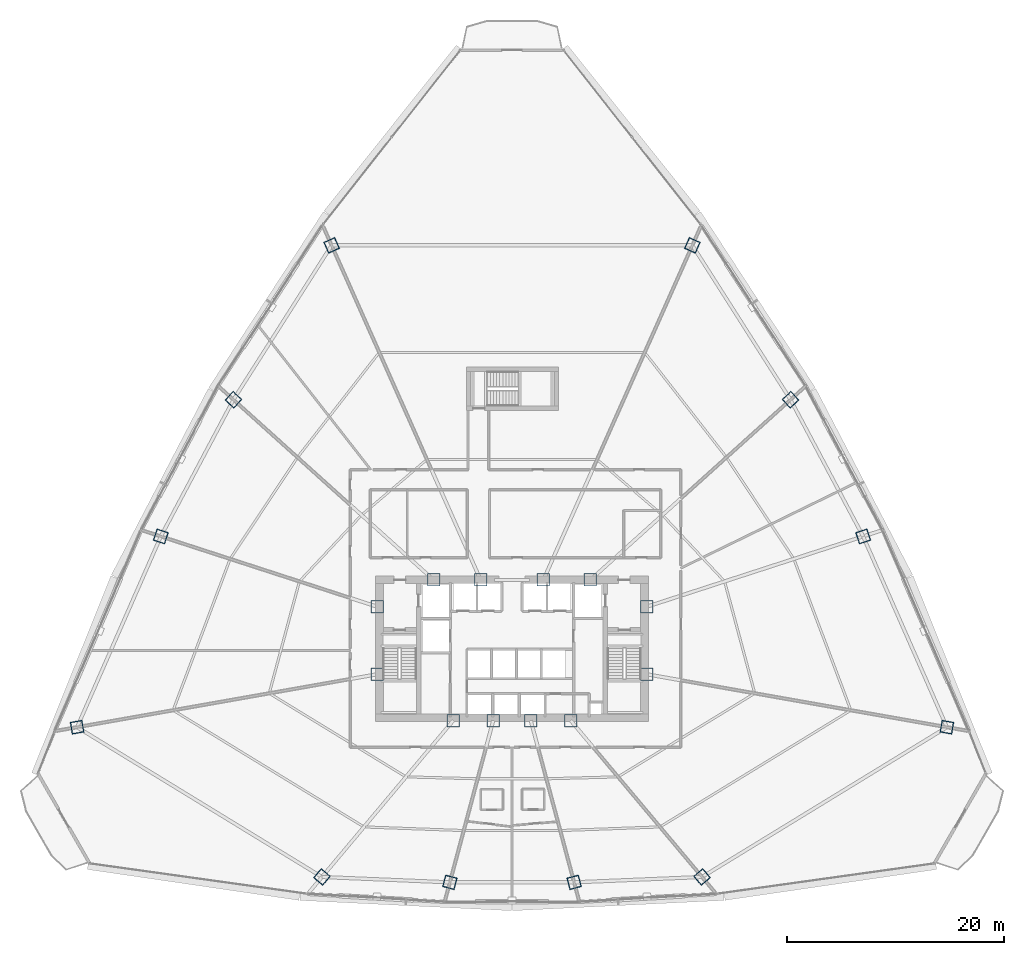
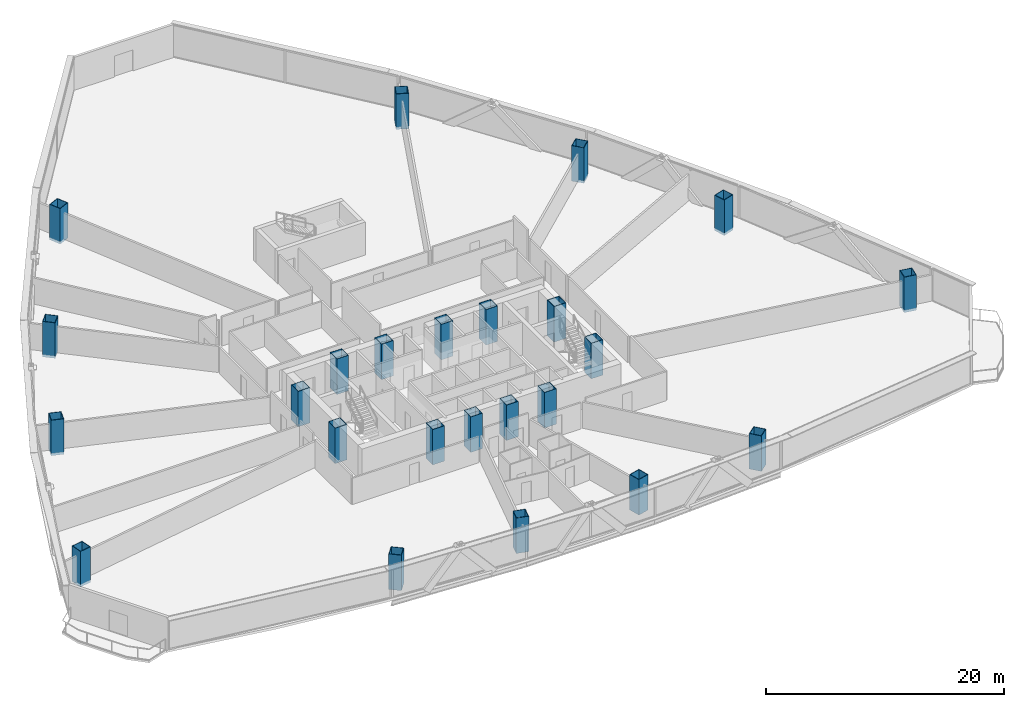
# One storey, part 1 of 38: 24 columns.
"""IFC4 building model written with IfcOpenShell, lengths in metres."""

from ifc_helpers import new_model, si_unit, direction, frame, origin, origin_2d, place, context, subcontext, project, spatial, hollow_rectangle, extrude, source, transform, mapped, material, material_profile, profile_set, type_object, element, save


model = new_model("IFC4")

# Units and contexts
model_context = context("Model", 3, precision=1e-05, world=origin(), true_north=direction((0.0, 1.0)))
body_context = subcontext(model_context, "Body", "Model", "MODEL_VIEW")
ifc_project = project(units=[si_unit("LENGTHUNIT", "METRE"), si_unit("AREAUNIT", "SQUARE_METRE"), si_unit("VOLUMEUNIT", "CUBIC_METRE"), si_unit("PLANEANGLEUNIT", "RADIAN"), si_unit("MASSUNIT", "GRAM", prefix="KILO"), si_unit("THERMODYNAMICTEMPERATUREUNIT", "KELVIN"), si_unit("POWERUNIT", "WATT")], contexts=[model_context])

# Site, building, storey
site_placement = place(None, origin())
site = spatial("IfcSite", under=ifc_project, at=site_placement, CompositionType="ELEMENT")
building_placement = place(site_placement, origin())
building = spatial("IfcBuilding", under=site, at=building_placement, Name="Yunzhuo Pagoda Commons", CompositionType="ELEMENT")
storey_placement = place(building_placement, frame((0.0, 0.0, 37.659912109375)))
storey = spatial("IfcBuildingStorey", under=building, at=storey_placement, Name="L09", CompositionType="ELEMENT", Elevation=37.659912109375)

# Columns
ifc_material = material(Name="Structural steel Q420B", Category="steel")
ifc_material_profile_1 = material_profile(ifc_material, hollow_rectangle(XDim=1.14990234375, YDim=1.14990234375, WallThickness=0.048095703125, at=origin_2d()), Name="Structural steel Q420B")
ifc_profile_set_1 = profile_set([ifc_material_profile_1], Name="Structural steel Q420B")
column_type_1 = type_object("IfcColumnType", Name="C-COR Column BOX 1150x1150x48", PredefinedType="COLUMN", material=ifc_profile_set_1)
shared_shape_1 = source(origin(), body_context, "Body", "SweptSolid", [
    extrude(hollow_rectangle(XDim=1.14990234375, YDim=1.14990234375, WallThickness=0.048095703125, at=origin_2d()), origin(), (0.0, 0.0, 1.0), 3.630126953125),
])
for number, where, z_axis, x_axis, name in (
    (1, (42.587890625, 27.25, -0.260009765625), (0.0, 0.0, 1.0), (1.0, 0.0, 0.0), "L09 core composite column F1C1"),
    (2, (46.27197265625, 27.25, -0.260009765625), (0.0, 0.0, 1.0), (1.0, 0.0, 0.0), "L09 core composite column F1C2"),
    (3, (49.728515625, 27.25, -0.260009765625), (0.0, 0.0, 1.0), (1.0, 0.0, 0.0), "L09 core composite column F1C3"),
    (4, (53.412109375, 27.25, -0.260009765625), (0.0, 0.0, 1.0), (1.0, 0.0, 0.0), "L09 core composite column F1C4"),
    (5, (60.39990234375, 31.513427734375, -0.260009765625), (0.0, 0.0, 1.0), (1.0, 0.0, 0.0), "L09 core composite column F2C1"),
    (6, (60.39990234375, 37.72900390625, -0.260009765625), (0.0, 0.0, 1.0), (1.0, 0.0, 0.0), "L09 core composite column F2C2"),
    (7, (55.218994140625, 40.199951171875, -0.260009765625), (0.0, 0.0, 1.0), (1.0, 0.0, 0.0), "L09 core composite column F2C3"),
    (8, (50.89404296875, 40.199951171875, -0.260009765625), (0.0, 0.0, 1.0), (1.0, 0.0, 0.0), "L09 core composite column F2C4"),
    (9, (45.10595703125, 40.199951171875, -0.260009765625), (0.0, 0.0, 1.0), (1.0, 0.0, 0.0), "L09 core composite column F3C1"),
    (10, (40.781005859375, 40.199951171875, -0.260009765625), (0.0, 0.0, 1.0), (1.0, 0.0, 0.0), "L09 core composite column F3C2"),
    (11, (35.60009765625, 37.72900390625, -0.260009765625), (0.0, 0.0, 1.0), (1.0, 0.0, 0.0), "L09 core composite column F3C3"),
    (12, (35.60009765625, 31.513427734375, -0.260009765625), (0.0, 0.0, 1.0), (1.0, 0.0, 0.0), "L09 core composite column F3C4"),
):
    element("IfcColumn", number, at=place(storey_placement, frame(where, z_axis=z_axis, x_axis=x_axis)), inside=storey, type_object=column_type_1, Name=name, PredefinedType="COLUMN", context=body_context, shape_type="MappedRepresentation", body=[
        mapped(shared_shape_1, transform((0.0, 0.0, 0.0), scale=1.0)),
    ])
ifc_material_profile_2 = material_profile(ifc_material, hollow_rectangle(XDim=1.10009765625, YDim=1.10009765625, WallThickness=0.044921875, at=origin_2d()), Name="Structural steel Q420B")
ifc_profile_set_2 = profile_set([ifc_material_profile_2], Name="Structural steel Q420B")
column_type_2 = type_object("IfcColumnType", Name="C-Z1 Column BOX 1100x1100x45", PredefinedType="COLUMN", material=ifc_profile_set_2)
shared_shape_2 = source(origin(), body_context, "Body", "SweptSolid", [
    extrude(hollow_rectangle(XDim=1.10009765625, YDim=1.10009765625, WallThickness=0.044921875, at=origin_2d()), origin(), (0.0, 0.0, 1.0), 3.630126953125),
])
for number, where, z_axis, x_axis, name in (
    (13, (30.5, 12.844482421875, -0.260009765625), (0.0, 0.0, 1.0), (0.766044443119, -0.642787609687, 0.0), "L09 tower column F1C1"),
    (14, (42.27978515625, 12.35205078125, -0.260009765625), (0.0, 0.0, 1.0), (0.965925826289, -0.258819045103, 0.0), "L09 tower column F1C2"),
    (15, (53.72021484375, 12.35205078125, -0.260009765625), (0.0, 0.0, 1.0), (0.965925826289, 0.258819045103, 0.0), "L09 tower column F1C3"),
    (16, (65.5, 12.844482421875, -0.260009765625), (0.0, 0.0, 1.0), (0.766044443119, 0.642787609687, 0.0), "L09 tower column F1C4"),
    (17, (88.047607421875, 26.638427734375, -0.260009765625), (0.0, 0.0, 1.0), (0.173648177667, 0.984807753012, 0.0), "L09 tower column F2C1"),
    (18, (80.33544921875, 44.206298828125, -0.260009765625), (0.0, 0.0, 1.0), (-0.309016994375, 0.951056516295, 0.0), "L09 tower column F2C2"),
    (19, (73.648681640625, 56.79443359375, -0.260009765625), (0.0, 0.0, 1.0), (-0.669130606359, 0.743144825477, 0.0), "L09 tower column F2C3"),
    (20, (64.61083984375, 71.008544921875, -0.260009765625), (0.0, 0.0, 1.0), (-0.913545457643, 0.406736643076, 0.0), "L09 tower column F2C4"),
    (21, (31.38916015625, 71.008544921875, -0.260009765625), (0.0, 0.0, 1.0), (-0.913545457643, -0.406736643076, 0.0), "L09 tower column F3C1"),
    (22, (22.351318359375, 56.79443359375, -0.260009765625), (0.0, 0.0, 1.0), (-0.669130606359, -0.743144825477, 0.0), "L09 tower column F3C2"),
    (23, (15.66455078125, 44.206298828125, -0.260009765625), (0.0, 0.0, 1.0), (-0.309016994375, -0.951056516295, 0.0), "L09 tower column F3C3"),
    (24, (7.952392578125, 26.638427734375, -0.260009765625), (0.0, 0.0, 1.0), (0.173648177667, -0.984807753012, 0.0), "L09 tower column F3C4"),
):
    element("IfcColumn", number, at=place(storey_placement, frame(where, z_axis=z_axis, x_axis=x_axis)), inside=storey, type_object=column_type_2, Name=name, PredefinedType="COLUMN", context=body_context, shape_type="MappedRepresentation", body=[
        mapped(shared_shape_2, transform((0.0, 0.0, 0.0), scale=1.0)),
    ])

save(model, "model.ifc")
